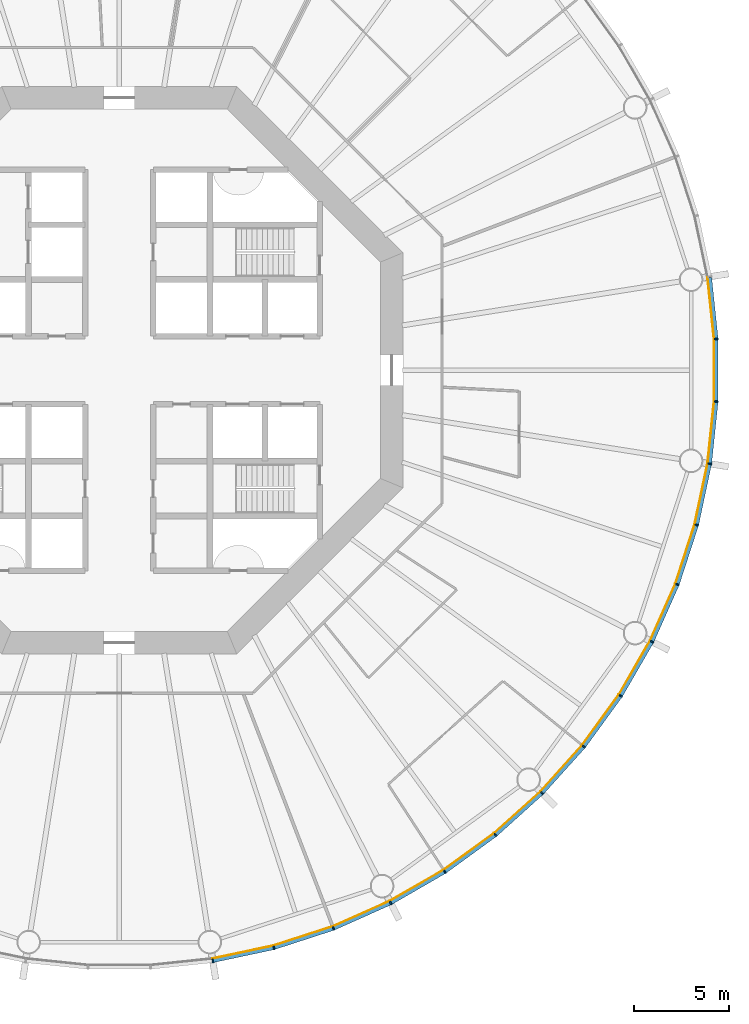
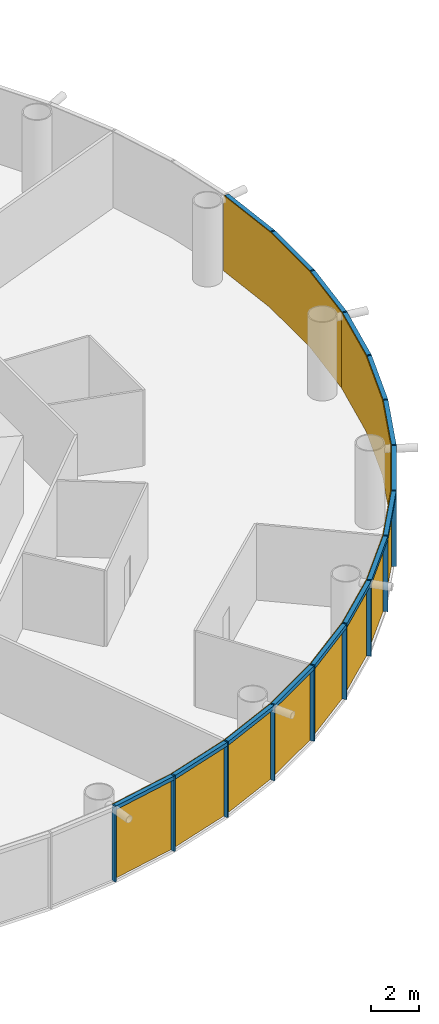
# One storey, part 9 of 13: 30 members, 5 curtain walls.
"""IFC4 building model written with IfcOpenShell, lengths in metres."""

from ifc_helpers import new_model, si_unit, direction, frame, origin, origin_2d, place, context, subcontext, project, spatial, polyline, rectangle, outline, extrude, material, layer, layer_set, material_profile, profile_set, type_object, element, aggregate, save


model = new_model("IFC4")

# Units and contexts
model_context = context("Model", 3, precision=1e-05, world=origin(), true_north=direction((0.0, 1.0)))
body_context = subcontext(model_context, "Body", "Model", "MODEL_VIEW")
ifc_project = project(units=[si_unit("LENGTHUNIT", "METRE"), si_unit("AREAUNIT", "SQUARE_METRE"), si_unit("VOLUMEUNIT", "CUBIC_METRE"), si_unit("PLANEANGLEUNIT", "RADIAN"), si_unit("MASSUNIT", "GRAM", prefix="KILO")], contexts=[model_context])

# Member
ifc_material_1 = material(Name="Anodised aluminium", Category="aluminium")
ifc_material_profile_1 = material_profile(ifc_material_1, rectangle(XDim=0.070068359375, YDim=0.199951171875, at=origin_2d()), Name="Mullion 70 x 200 mm anodised aluminium")
ifc_profile_set_1 = profile_set([ifc_material_profile_1], Name="Anodised aluminium")
member_type_1 = type_object("IfcMemberType", Name="Mullion 70 x 200 mm anodised aluminium", PredefinedType="MULLION", material=ifc_profile_set_1)
site_placement = place(None, origin())
building_placement = place(site_placement, origin())
storey_placement = place(building_placement, frame((0.0, 0.0, 112.0)))
member_1_placement = place(storey_placement, frame((94.943359375, 48.7890625, 0.0), z_axis=(0.0, 0.0, 1.0), x_axis=(0.987688340595, 0.15643446504, 0.0)))
member_1 = element("IfcMember", 1, at=member_1_placement, type_object=member_type_1, Name="MULLION L25-45", PredefinedType="MULLION", context=body_context, shape_type="SweptSolid", body=[
    extrude(rectangle(XDim=0.070068359375, YDim=0.199951171875, at=origin_2d()), origin(), (0.0, 0.0, 1.0), 3.85009765625),
])

member_2_placement = place(storey_placement, frame((98.1787109375, 49.476806640625, 0.0), z_axis=(0.0, 0.0, 1.0), x_axis=(0.965925826289, 0.258819045103, 0.0)))
member_2 = element("IfcMember", 2, at=member_2_placement, type_object=member_type_1, Name="MULLION L25-46", PredefinedType="MULLION", context=body_context, shape_type="SweptSolid", body=[
    extrude(rectangle(XDim=0.070068359375, YDim=0.199951171875, at=origin_2d()), origin(), (0.0, 0.0, 1.0), 3.85009765625),
])

member_3_placement = place(storey_placement, frame((101.324462890625, 50.498779296875, 0.0), z_axis=(0.0, 0.0, 1.0), x_axis=(0.933580426497, 0.358367949545, 0.0)))
member_3 = element("IfcMember", 3, at=member_3_placement, type_object=member_type_1, Name="MULLION L25-47", PredefinedType="MULLION", context=body_context, shape_type="SweptSolid", body=[
    extrude(rectangle(XDim=0.070068359375, YDim=0.199951171875, at=origin_2d()), origin(), (0.0, 0.0, 1.0), 3.85009765625),
])

member_4_placement = place(storey_placement, frame((104.34619140625, 51.84423828125, 0.0), z_axis=(0.0, 0.0, 1.0), x_axis=(0.891006524188, 0.45399049974, 0.0)))
member_4 = element("IfcMember", 4, at=member_4_placement, type_object=member_type_1, Name="MULLION L25-48", PredefinedType="MULLION", context=body_context, shape_type="SweptSolid", body=[
    extrude(rectangle(XDim=0.070068359375, YDim=0.199951171875, at=origin_2d()), origin(), (0.0, 0.0, 1.0), 3.85009765625),
])

member_5_placement = place(storey_placement, frame((107.210693359375, 53.498046875, 0.0), z_axis=(0.0, 0.0, 1.0), x_axis=(0.838670567945, 0.544639035015, 0.0)))
member_5 = element("IfcMember", 5, at=member_5_placement, type_object=member_type_1, Name="MULLION L25-49", PredefinedType="MULLION", context=body_context, shape_type="SweptSolid", body=[
    extrude(rectangle(XDim=0.070068359375, YDim=0.199951171875, at=origin_2d()), origin(), (0.0, 0.0, 1.0), 3.85009765625),
])

member_6_placement = place(storey_placement, frame((109.886474609375, 55.442138671875, 0.0), z_axis=(0.0, 0.0, 1.0), x_axis=(0.777145961457, 0.62932039105, 0.0)))
member_6 = element("IfcMember", 6, at=member_6_placement, type_object=member_type_1, Name="MULLION L25-50", PredefinedType="MULLION", context=body_context, shape_type="SweptSolid", body=[
    extrude(rectangle(XDim=0.070068359375, YDim=0.199951171875, at=origin_2d()), origin(), (0.0, 0.0, 1.0), 3.85009765625),
])

member_7_placement = place(storey_placement, frame((112.344482421875, 57.655517578125, 0.0), z_axis=(0.0, 0.0, 1.0), x_axis=(0.707106781187, 0.707106781187, 0.0)))
member_7 = element("IfcMember", 7, at=member_7_placement, type_object=member_type_1, Name="MULLION L25-51", PredefinedType="MULLION", context=body_context, shape_type="SweptSolid", body=[
    extrude(rectangle(XDim=0.070068359375, YDim=0.199951171875, at=origin_2d()), origin(), (0.0, 0.0, 1.0), 3.85009765625),
])

member_8_placement = place(storey_placement, frame((114.557861328125, 60.113525390625, 0.0), z_axis=(0.0, 0.0, 1.0), x_axis=(0.62932039105, 0.777145961457, 0.0)))
member_8 = element("IfcMember", 8, at=member_8_placement, type_object=member_type_1, Name="MULLION L25-52", PredefinedType="MULLION", context=body_context, shape_type="SweptSolid", body=[
    extrude(rectangle(XDim=0.070068359375, YDim=0.199951171875, at=origin_2d()), origin(), (0.0, 0.0, 1.0), 3.85009765625),
])

member_9_placement = place(storey_placement, frame((116.501953125, 62.789306640625, 0.0), z_axis=(0.0, 0.0, 1.0), x_axis=(0.544639035015, 0.838670567945, 0.0)))
member_9 = element("IfcMember", 9, at=member_9_placement, type_object=member_type_1, Name="MULLION L25-53", PredefinedType="MULLION", context=body_context, shape_type="SweptSolid", body=[
    extrude(rectangle(XDim=0.070068359375, YDim=0.199951171875, at=origin_2d()), origin(), (0.0, 0.0, 1.0), 3.85009765625),
])

member_10_placement = place(storey_placement, frame((118.15576171875, 65.65380859375, 0.0), z_axis=(0.0, 0.0, 1.0), x_axis=(0.45399049974, 0.891006524188, 0.0)))
member_10 = element("IfcMember", 10, at=member_10_placement, type_object=member_type_1, Name="MULLION L25-54", PredefinedType="MULLION", context=body_context, shape_type="SweptSolid", body=[
    extrude(rectangle(XDim=0.070068359375, YDim=0.199951171875, at=origin_2d()), origin(), (0.0, 0.0, 1.0), 3.85009765625),
])

member_11_placement = place(storey_placement, frame((119.501220703125, 68.675537109375, 0.0), z_axis=(0.0, 0.0, 1.0), x_axis=(0.358367949545, 0.933580426497, 0.0)))
member_11 = element("IfcMember", 11, at=member_11_placement, type_object=member_type_1, Name="MULLION L25-55", PredefinedType="MULLION", context=body_context, shape_type="SweptSolid", body=[
    extrude(rectangle(XDim=0.070068359375, YDim=0.199951171875, at=origin_2d()), origin(), (0.0, 0.0, 1.0), 3.85009765625),
])

member_12_placement = place(storey_placement, frame((120.523193359375, 71.8212890625, 0.0), z_axis=(0.0, 0.0, 1.0), x_axis=(0.258819045103, 0.965925826289, 0.0)))
member_12 = element("IfcMember", 12, at=member_12_placement, type_object=member_type_1, Name="MULLION L25-56", PredefinedType="MULLION", context=body_context, shape_type="SweptSolid", body=[
    extrude(rectangle(XDim=0.070068359375, YDim=0.199951171875, at=origin_2d()), origin(), (0.0, 0.0, 1.0), 3.85009765625),
])

member_13_placement = place(storey_placement, frame((121.2109375, 75.056640625, 0.0), z_axis=(0.0, 0.0, 1.0), x_axis=(0.15643446504, 0.987688340595, 0.0)))
member_13 = element("IfcMember", 13, at=member_13_placement, type_object=member_type_1, Name="MULLION L25-57", PredefinedType="MULLION", context=body_context, shape_type="SweptSolid", body=[
    extrude(rectangle(XDim=0.070068359375, YDim=0.199951171875, at=origin_2d()), origin(), (0.0, 0.0, 1.0), 3.85009765625),
])

member_14_placement = place(storey_placement, frame((121.556640625, 78.34619140625, 0.0), z_axis=(0.0, 0.0, 1.0), x_axis=(0.052335956243, 0.998629534755, 0.0)))
member_14 = element("IfcMember", 14, at=member_14_placement, type_object=member_type_1, Name="MULLION L25-58", PredefinedType="MULLION", context=body_context, shape_type="SweptSolid", body=[
    extrude(rectangle(XDim=0.070068359375, YDim=0.199951171875, at=origin_2d()), origin(), (0.0, 0.0, 1.0), 3.85009765625),
])

member_15_placement = place(storey_placement, frame((121.556640625, 81.65380859375, 0.0), z_axis=(0.0, 0.0, 1.0), x_axis=(-0.052335956243, 0.998629534755, 0.0)))
member_15 = element("IfcMember", 15, at=member_15_placement, type_object=member_type_1, Name="MULLION L25-59", PredefinedType="MULLION", context=body_context, shape_type="SweptSolid", body=[
    extrude(rectangle(XDim=0.070068359375, YDim=0.199951171875, at=origin_2d()), origin(), (0.0, 0.0, 1.0), 3.85009765625),
])

ifc_material_2 = material(Name="Anodised aluminium", Category="aluminium")
ifc_material_profile_2 = material_profile(ifc_material_2, rectangle(XDim=0.199951171875, YDim=0.18994140625, at=origin_2d()), Name="Transom 190 x 200 mm anodised aluminium")
ifc_profile_set_2 = profile_set([ifc_material_profile_2], Name="Anodised aluminium")
member_type_2 = type_object("IfcMemberType", Name="Transom 190 x 200 mm anodised aluminium", PredefinedType="USERDEFINED", material=ifc_profile_set_2)
member_16_placement = place(storey_placement, frame((94.982666015625, 48.79736328125, 3.7548828125), z_axis=(0.978153082647, 0.207885898771, 0.0), x_axis=(-0.207885898771, 0.978153082647, 0.0)))
member_16 = element("IfcMember", 16, at=member_16_placement, type_object=member_type_2, Name="TRANSOM L25-45", ObjectType="TRANSOM", PredefinedType="USERDEFINED", context=body_context, shape_type="SweptSolid", body=[
    extrude(rectangle(XDim=0.199951171875, YDim=0.18994140625, at=origin_2d()), origin(), (0.0, 0.0, 1.0), 3.227294921875),
])

member_17_placement = place(storey_placement, frame((98.217041015625, 49.489013671875, 3.7548828125), z_axis=(0.951046855117, 0.309046726844, 0.0), x_axis=(-0.309046726844, 0.951046855117, 0.0)))
member_17 = element("IfcMember", 17, at=member_17_placement, type_object=member_type_2, Name="TRANSOM L25-46", ObjectType="TRANSOM", PredefinedType="USERDEFINED", context=body_context, shape_type="SweptSolid", body=[
    extrude(rectangle(XDim=0.199951171875, YDim=0.18994140625, at=origin_2d()), origin(), (0.0, 0.0, 1.0), 3.22705078125),
])

member_18_placement = place(storey_placement, frame((101.361328125, 50.51513671875, 3.7548828125), z_axis=(0.913549291349, 0.406728032322, 0.0), x_axis=(-0.406728032322, 0.913549291349, 0.0)))
member_18 = element("IfcMember", 18, at=member_18_placement, type_object=member_type_2, Name="TRANSOM L25-47", ObjectType="TRANSOM", PredefinedType="USERDEFINED", context=body_context, shape_type="SweptSolid", body=[
    extrude(rectangle(XDim=0.199951171875, YDim=0.18994140625, at=origin_2d()), origin(), (0.0, 0.0, 1.0), 3.22705078125),
])

member_19_placement = place(storey_placement, frame((104.381103515625, 51.8642578125, 3.7548828125), z_axis=(0.866023062494, 0.500004055213, 0.0), x_axis=(-0.500004055213, 0.866023062494, 0.0)))
member_19 = element("IfcMember", 19, at=member_19_placement, type_object=member_type_2, Name="TRANSOM L25-48", ObjectType="TRANSOM", PredefinedType="USERDEFINED", context=body_context, shape_type="SweptSolid", body=[
    extrude(rectangle(XDim=0.199951171875, YDim=0.18994140625, at=origin_2d()), origin(), (0.0, 0.0, 1.0), 3.22705078125),
])

member_20_placement = place(storey_placement, frame((107.2431640625, 53.521484375, 3.7548828125), z_axis=(0.809004252048, 0.587802790201, 0.0), x_axis=(-0.587802790201, 0.809004252048, 0.0)))
member_20 = element("IfcMember", 20, at=member_20_placement, type_object=member_type_2, Name="TRANSOM L25-49", ObjectType="TRANSOM", PredefinedType="USERDEFINED", context=body_context, shape_type="SweptSolid", body=[
    extrude(rectangle(XDim=0.199951171875, YDim=0.18994140625, at=origin_2d()), origin(), (0.0, 0.0, 1.0), 3.227294921875),
])

member_21_placement = place(storey_placement, frame((109.91650390625, 55.468994140625, 3.7548828125), z_axis=(0.743132370743, 0.669144438484, 0.0), x_axis=(-0.669144438484, 0.743132370743, 0.0)))
member_21 = element("IfcMember", 21, at=member_21_placement, type_object=member_type_2, Name="TRANSOM L25-50", ObjectType="TRANSOM", PredefinedType="USERDEFINED", context=body_context, shape_type="SweptSolid", body=[
    extrude(rectangle(XDim=0.199951171875, YDim=0.18994140625, at=origin_2d()), origin(), (0.0, 0.0, 1.0), 3.22705078125),
])

member_22_placement = place(storey_placement, frame((112.37158203125, 57.685302734375, 3.7548828125), z_axis=(0.669144438484, 0.743132370743, 0.0), x_axis=(-0.743132370743, 0.669144438484, 0.0)))
member_22 = element("IfcMember", 22, at=member_22_placement, type_object=member_type_2, Name="TRANSOM L25-51", ObjectType="TRANSOM", PredefinedType="USERDEFINED", context=body_context, shape_type="SweptSolid", body=[
    extrude(rectangle(XDim=0.199951171875, YDim=0.18994140625, at=origin_2d()), origin(), (0.0, 0.0, 1.0), 3.22705078125),
])

member_23_placement = place(storey_placement, frame((114.58154296875, 60.14599609375, 3.7548828125), z_axis=(0.587802790201, 0.809004252048, 0.0), x_axis=(-0.809004252048, 0.587802790201, 0.0)))
member_23 = element("IfcMember", 23, at=member_23_placement, type_object=member_type_2, Name="TRANSOM L25-52", ObjectType="TRANSOM", PredefinedType="USERDEFINED", context=body_context, shape_type="SweptSolid", body=[
    extrude(rectangle(XDim=0.199951171875, YDim=0.18994140625, at=origin_2d()), origin(), (0.0, 0.0, 1.0), 3.227294921875),
])

member_24_placement = place(storey_placement, frame((116.522216796875, 62.82421875, 3.7548828125), z_axis=(0.500004055213, 0.866023062494, 0.0), x_axis=(-0.866023062494, 0.500004055213, 0.0)))
member_24 = element("IfcMember", 24, at=member_24_placement, type_object=member_type_2, Name="TRANSOM L25-53", ObjectType="TRANSOM", PredefinedType="USERDEFINED", context=body_context, shape_type="SweptSolid", body=[
    extrude(rectangle(XDim=0.199951171875, YDim=0.18994140625, at=origin_2d()), origin(), (0.0, 0.0, 1.0), 3.22705078125),
])

member_25_placement = place(storey_placement, frame((118.17236328125, 65.690673828125, 3.7548828125), z_axis=(0.406728032322, 0.913549291349, 0.0), x_axis=(-0.913549291349, 0.406728032322, 0.0)))
member_25 = element("IfcMember", 25, at=member_25_placement, type_object=member_type_2, Name="TRANSOM L25-54", ObjectType="TRANSOM", PredefinedType="USERDEFINED", context=body_context, shape_type="SweptSolid", body=[
    extrude(rectangle(XDim=0.199951171875, YDim=0.18994140625, at=origin_2d()), origin(), (0.0, 0.0, 1.0), 3.22705078125),
])

member_26_placement = place(storey_placement, frame((119.513671875, 68.7138671875, 3.7548828125), z_axis=(0.309046726844, 0.951046855117, 0.0), x_axis=(-0.951046855117, 0.309046726844, 0.0)))
member_26 = element("IfcMember", 26, at=member_26_placement, type_object=member_type_2, Name="TRANSOM L25-55", ObjectType="TRANSOM", PredefinedType="USERDEFINED", context=body_context, shape_type="SweptSolid", body=[
    extrude(rectangle(XDim=0.199951171875, YDim=0.18994140625, at=origin_2d()), origin(), (0.0, 0.0, 1.0), 3.22705078125),
])

member_27_placement = place(storey_placement, frame((120.53173828125, 71.860595703125, 3.7548828125), z_axis=(0.207885898771, 0.978153082647, 0.0), x_axis=(-0.978153082647, 0.207885898771, 0.0)))
member_27 = element("IfcMember", 27, at=member_27_placement, type_object=member_type_2, Name="TRANSOM L25-56", ObjectType="TRANSOM", PredefinedType="USERDEFINED", context=body_context, shape_type="SweptSolid", body=[
    extrude(rectangle(XDim=0.199951171875, YDim=0.18994140625, at=origin_2d()), origin(), (0.0, 0.0, 1.0), 3.227294921875),
])

member_28_placement = place(storey_placement, frame((121.21533203125, 75.0966796875, 3.7548828125), z_axis=(0.104550890115, 0.994519537956, 0.0), x_axis=(-0.994519537956, 0.104550890115, 0.0)))
member_28 = element("IfcMember", 28, at=member_28_placement, type_object=member_type_2, Name="TRANSOM L25-57", ObjectType="TRANSOM", PredefinedType="USERDEFINED", context=body_context, shape_type="SweptSolid", body=[
    extrude(rectangle(XDim=0.199951171875, YDim=0.18994140625, at=origin_2d()), origin(), (0.0, 0.0, 1.0), 3.22705078125),
])

member_29_placement = place(storey_placement, frame((121.556884765625, 78.386474609375, 3.7548828125), z_axis=(0.0, 1.0, 0.0), x_axis=(-1.0, 0.0, 0.0)))
member_29 = element("IfcMember", 29, at=member_29_placement, type_object=member_type_2, Name="TRANSOM L25-58", ObjectType="TRANSOM", PredefinedType="USERDEFINED", context=body_context, shape_type="SweptSolid", body=[
    extrude(rectangle(XDim=0.199951171875, YDim=0.18994140625, at=origin_2d()), origin(), (0.0, 0.0, 1.0), 3.22705078125),
])

member_30_placement = place(storey_placement, frame((121.552734375, 81.69384765625, 3.7548828125), z_axis=(-0.104550890115, 0.994519537956, 0.0), x_axis=(-0.994519537956, -0.104550890115, 0.0)))
member_30 = element("IfcMember", 30, at=member_30_placement, type_object=member_type_2, Name="TRANSOM L25-59", ObjectType="TRANSOM", PredefinedType="USERDEFINED", context=body_context, shape_type="SweptSolid", body=[
    extrude(rectangle(XDim=0.199951171875, YDim=0.18994140625, at=origin_2d()), origin(), (0.0, 0.0, 1.0), 3.22705078125),
])

# Site, building, storey
site = spatial("IfcSite", under=ifc_project, at=site_placement, CompositionType="ELEMENT")
building = spatial("IfcBuilding", under=site, at=building_placement, Name="Entoto Ring Tower", CompositionType="ELEMENT")
storey = spatial("IfcBuildingStorey", under=building, at=storey_placement, Name="L25", CompositionType="ELEMENT", Elevation=112.0)

# Curtain wall
ifc_material_3 = material(Name="Clear low-iron glass", Category="glass")
ifc_layer = layer(ifc_material_3, 0.035888671875)
ifc_layer_set = layer_set([ifc_layer], Name="Clear low-iron glass")
curtain_wall_type = type_object("IfcCurtainWallType", Name="Curtain wall system CW2 glazing 36 mm", PredefinedType="NOTDEFINED", material=ifc_layer_set)
curtain_wall_1_placement = place(storey_placement, origin())
curtain_wall_1 = element("IfcCurtainWall", 31, at=curtain_wall_1_placement, inside=storey, type_object=curtain_wall_type, Name="CW2 L25-16", PredefinedType="NOTDEFINED", context=body_context, shape_type="SweptSolid", body=[
    extrude(outline(polyline([(94.927734375, 48.8876953125), (98.15283203125, 49.5732421875), (101.28857421875, 50.59228515625), (104.30078125, 51.933349609375), (104.284423828125, 51.96533203125), (101.275634765625, 50.6259765625), (98.1435546875, 49.608154296875), (94.922119140625, 48.92333984375), (94.927734375, 48.8876953125)])), origin(), (0.0, 0.0, 1.0), 3.85009765625),
])

aggregate(curtain_wall_1, [member_1, member_2, member_3, member_16, member_17, member_18])

curtain_wall_2_placement = place(storey_placement, origin())
curtain_wall_2 = element("IfcCurtainWall", 32, at=curtain_wall_2_placement, inside=storey, type_object=curtain_wall_type, Name="CW2 L25-17", PredefinedType="NOTDEFINED", context=body_context, shape_type="SweptSolid", body=[
    extrude(outline(polyline([(104.30078125, 51.933349609375), (107.15625, 53.581787109375), (109.823486328125, 55.52001953125), (112.27392578125, 57.72607421875), (112.248291015625, 57.751708984375), (109.801025390625, 55.5478515625), (107.136474609375, 53.612060546875), (104.284423828125, 51.96533203125), (104.30078125, 51.933349609375)])), origin(), (0.0, 0.0, 1.0), 3.85009765625),
])

aggregate(curtain_wall_2, [member_4, member_5, member_6, member_19, member_20, member_21])

curtain_wall_3_placement = place(storey_placement, origin())
curtain_wall_3 = element("IfcCurtainWall", 33, at=curtain_wall_3_placement, inside=storey, type_object=curtain_wall_type, Name="CW2 L25-18", PredefinedType="NOTDEFINED", context=body_context, shape_type="SweptSolid", body=[
    extrude(outline(polyline([(112.27392578125, 57.72607421875), (114.47998046875, 60.176513671875), (116.418212890625, 62.84375), (118.066650390625, 65.69921875), (118.03466796875, 65.715576171875), (116.387939453125, 62.863525390625), (114.4521484375, 60.198974609375), (112.248291015625, 57.751708984375), (112.27392578125, 57.72607421875)])), origin(), (0.0, 0.0, 1.0), 3.85009765625),
])

aggregate(curtain_wall_3, [member_7, member_8, member_9, member_22, member_23, member_24])

curtain_wall_4_placement = place(storey_placement, origin())
curtain_wall_4 = element("IfcCurtainWall", 34, at=curtain_wall_4_placement, inside=storey, type_object=curtain_wall_type, Name="CW2 L25-19", PredefinedType="NOTDEFINED", context=body_context, shape_type="SweptSolid", body=[
    extrude(outline(polyline([(118.066650390625, 65.69921875), (119.40771484375, 68.71142578125), (120.4267578125, 71.84716796875), (121.1123046875, 75.072265625), (121.07666015625, 75.077880859375), (120.391845703125, 71.8564453125), (119.3740234375, 68.724365234375), (118.03466796875, 65.715576171875), (118.066650390625, 65.69921875)])), origin(), (0.0, 0.0, 1.0), 3.85009765625),
])

aggregate(curtain_wall_4, [member_10, member_11, member_12, member_25, member_26, member_27])

curtain_wall_5_placement = place(storey_placement, origin())
curtain_wall_5 = element("IfcCurtainWall", 35, at=curtain_wall_5_placement, inside=storey, type_object=curtain_wall_type, Name="CW2 L25-20", PredefinedType="NOTDEFINED", context=body_context, shape_type="SweptSolid", body=[
    extrude(outline(polyline([(121.1123046875, 75.072265625), (121.456787109375, 78.351318359375), (121.456787109375, 81.648681640625), (121.1123046875, 84.927734375), (121.07666015625, 84.922119140625), (121.4208984375, 81.646728515625), (121.4208984375, 78.353271484375), (121.07666015625, 75.077880859375), (121.1123046875, 75.072265625)])), origin(), (0.0, 0.0, 1.0), 3.85009765625),
])

aggregate(curtain_wall_5, [member_13, member_14, member_15, member_28, member_29, member_30])

save(model, "model.ifc")
